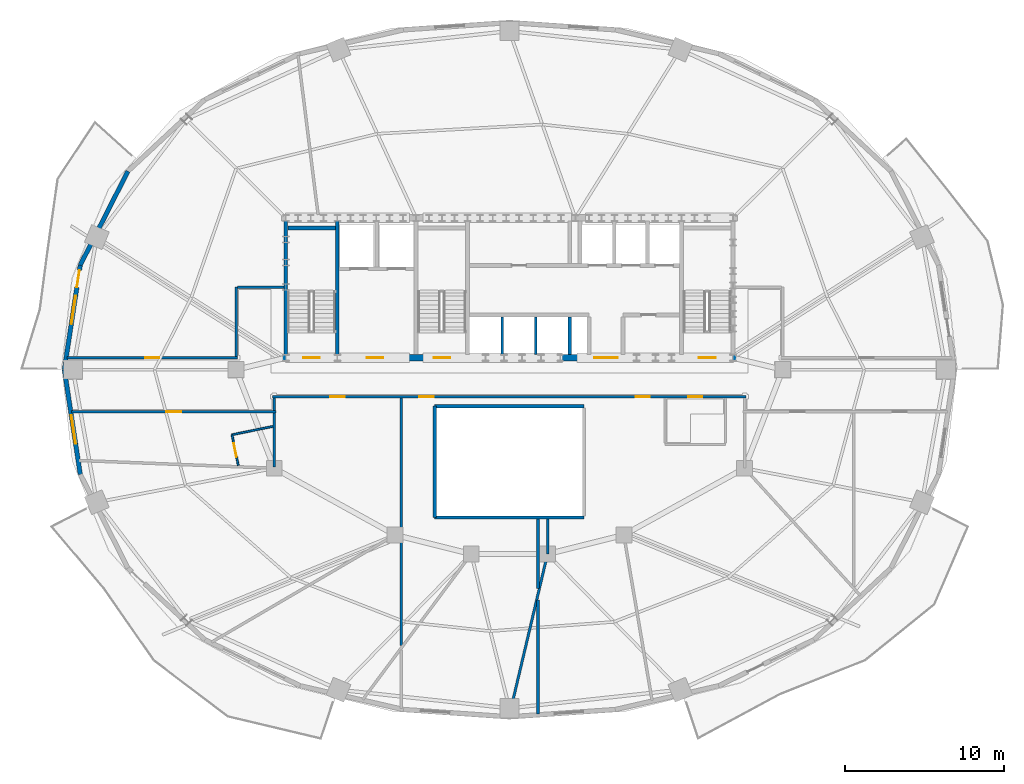
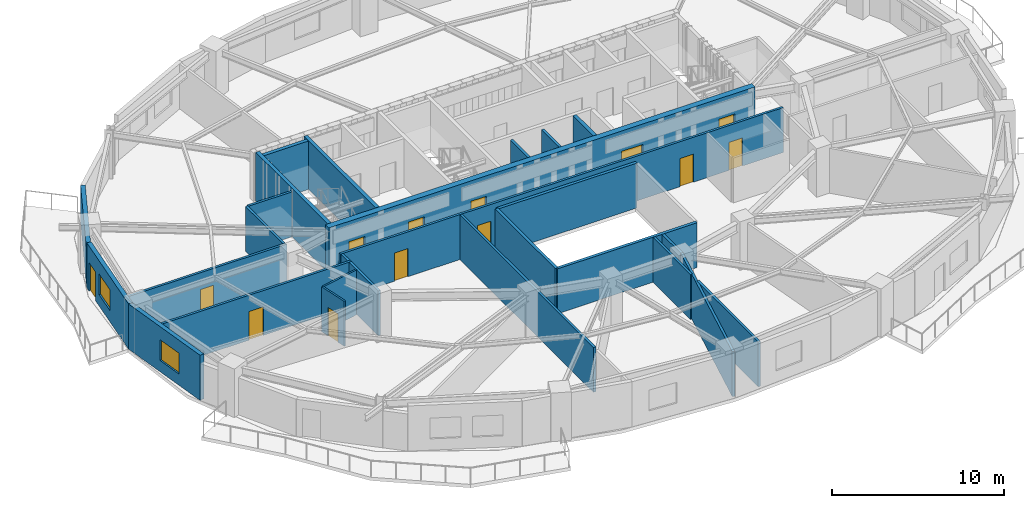
# One storey, part 4 of 11: 27 walls, 13 doors, 2 windows, 15 openings.
"""IFC4 building model written with IfcOpenShell, lengths in metres."""

from ifc_helpers import new_model, si_unit, direction, frame, frame_2d, origin, place, context, subcontext, project, spatial, rectangle, extrude, material, layer, layer_set, type_object, element, fill, save


model = new_model("IFC4")

# Units and contexts
model_context = context("Model", 3, precision=1e-05, world=origin(), true_north=direction((0.0, 1.0)))
body_context = subcontext(model_context, "Body", "Model", "MODEL_VIEW")
ifc_project = project(units=[si_unit("LENGTHUNIT", "METRE"), si_unit("AREAUNIT", "SQUARE_METRE"), si_unit("VOLUMEUNIT", "CUBIC_METRE"), si_unit("PLANEANGLEUNIT", "RADIAN"), si_unit("MASSUNIT", "GRAM", prefix="KILO")], contexts=[model_context])

# Site, building, storey
site_placement = place(None, origin())
site = spatial("IfcSite", under=ifc_project, at=site_placement, CompositionType="ELEMENT")
building_placement = place(site_placement, origin())
building = spatial("IfcBuilding", under=site, at=building_placement, Name="Haldorwick Loom Tower", CompositionType="ELEMENT")
storey_placement = place(building_placement, frame((0.0, 0.0, 204.85009765625)))
storey = spatial("IfcBuildingStorey", under=building, at=storey_placement, Name="L55", CompositionType="ELEMENT", Elevation=204.85009765625)

# Wall
ifc_material_1 = material(Name="Pressed Clay Face Brick and Insulated Masonry Backup Assembly", Category="masonry")
ifc_layer_1 = layer(ifc_material_1, 0.280029296875, Name="Pressed Clay Face Brick and Insulated Masonry Backup Assembly", Category="masonry")
ifc_layer_set_1 = layer_set([ifc_layer_1], Name="Pressed Clay Face Brick and Insulated Masonry Backup Assembly")
wall_type_1 = type_object("IfcWallType", Name="ARC-WL-EXT280", PredefinedType="STANDARD", material=ifc_layer_set_1)
wall_1_placement = place(storey_placement, frame((11.994384765625, 38.4853515625, 0.0), z_axis=(0.0, 0.0, 1.0), x_axis=(-0.453032066879, -0.89149422117, 0.0)))
element("IfcWall", 1, at=wall_1_placement, inside=storey, type_object=wall_type_1, Name="L55 Brick Pier and Spandrel Wall 11", PredefinedType="STANDARD", context=body_context, shape_type="SweptSolid", body=[
    extrude(rectangle(XDim=6.618896484375, YDim=0.280029296875, at=frame_2d((3.3095703125, 0.0))), origin(), (0.0, 0.0, 1.0), 2.640869140625),
])

# Wall, openings, door, window
wall_2_placement = place(storey_placement, frame((8.995849609375, 32.584716796875, 0.0), z_axis=(0.0, 0.0, 1.0), x_axis=(-0.150467697578, -0.988614926038, 0.0)))
wall_2 = element("IfcWall", 2, at=wall_2_placement, inside=storey, type_object=wall_type_1, Name="L55 Brick Pier and Spandrel Wall 12", PredefinedType="STANDARD", context=body_context, shape_type="SweptSolid", body=[
    extrude(rectangle(XDim=6.66064453125, YDim=0.280029296875, at=frame_2d((3.330322265625, 0.0))), origin(), (0.0, 0.0, 1.0), 3.2099609375),
])
opening_1_placement = place(wall_2_placement, frame((0.340087890625, 0.0, 0.0)))
opening_1 = element("IfcOpeningElement", 3, at=opening_1_placement, cuts=wall_2, Name="Opening D-BL11", PredefinedType="OPENING", context=body_context, shape_type="SweptSolid", body=[
    extrude(rectangle(XDim=1.080078125, YDim=2.0400390625, at=frame_2d((0.5400390625, 1.02001953125))), frame((0.0, 0.14990234375, 0.0), z_axis=(0.0, -1.0, 0.0), x_axis=(1.0, 0.0, 0.0)), (0.0, 0.0, 1.0), 0.300048828125),
])
opening_2_placement = place(wall_2_placement, frame((1.952392578125, 0.0, 0.800048828125)))
opening_2 = element("IfcOpeningElement", 4, at=opening_2_placement, cuts=wall_2, Name="Opening W-01", PredefinedType="OPENING", context=body_context, shape_type="SweptSolid", body=[
    extrude(rectangle(XDim=1.800048828125, YDim=1.47998046875, at=frame_2d((0.89990234375, 0.739990234375))), frame((0.0, 0.14990234375, 0.0), z_axis=(0.0, -1.0, 0.0), x_axis=(1.0, 0.0, 0.0)), (0.0, 0.0, 1.0), 0.300048828125),
])
ifc_material_2 = material(Name="Thermally Broken Anodized Aluminium Curtain Wall Framing", Category="aluminium")
door_type_1 = type_object("IfcDoorType", Name="ARC-DR-BAL110", OperationType="NOTDEFINED", PredefinedType="DOOR", material=ifc_material_2)
door_1_placement = place(opening_1_placement, origin())
door_1 = element("IfcDoor", 5, at=door_1_placement, inside=storey, type_object=door_type_1, Name="L55 Outdoor Terrace Door SLB-L55-BAL_WNW", OperationType="SINGLE_SWING_RIGHT", OverallHeight=2.0400390625, OverallWidth=1.080078125, PredefinedType="DOOR", context=body_context, shape_type="SweptSolid", body=[
    extrude(rectangle(XDim=1.080078125, YDim=2.0400390625, at=frame_2d((0.5400390625, 1.02001953125))), frame((0.0, 0.02490234375, 0.0), z_axis=(0.0, -1.0, 0.0), x_axis=(1.0, 0.0, 0.0)), (0.0, 0.0, 1.0), 0.050048828125),
])
fill(opening_1, door_1)
ifc_material_3 = material(Name="Triple-Glazed Low-E Argon Insulated Glazing Unit", Category="glass")
window_type = type_object("IfcWindowType", Name="ARC-WIN-W180", PartitioningType="SINGLE_PANEL", PredefinedType="WINDOW", material=ifc_material_3)
window_1_placement = place(opening_2_placement, origin())
window_1 = element("IfcWindow", 6, at=window_1_placement, inside=storey, type_object=window_type, Name="L55 Deep-Set Zone 7A Window 12", OverallHeight=1.47998046875, OverallWidth=1.800048828125, PartitioningType="SINGLE_PANEL", PredefinedType="WINDOW", context=body_context, shape_type="SweptSolid", body=[
    extrude(rectangle(XDim=1.800048828125, YDim=1.47998046875, at=frame_2d((0.89990234375, 0.739990234375))), frame((0.0, 0.030029296875, 0.0), z_axis=(0.0, -1.0, 0.0), x_axis=(1.0, 0.0, 0.0)), (0.0, 0.0, 1.0), 0.06005859375),
])
fill(opening_2, window_1)

# Wall, opening, window
wall_3_placement = place(storey_placement, frame((7.99365234375, 26.0, 0.0), z_axis=(0.0, 0.0, 1.0), x_axis=(0.150467697578, -0.988614926038, 0.0)))
wall_3 = element("IfcWall", 7, at=wall_3_placement, inside=storey, type_object=wall_type_1, Name="L55 Brick Pier and Spandrel Wall 13", PredefinedType="STANDARD", context=body_context, shape_type="SweptSolid", body=[
    extrude(rectangle(XDim=6.66064453125, YDim=0.280029296875, at=frame_2d((3.330322265625, 0.0))), origin(), (0.0, 0.0, 1.0), 3.2099609375),
])
opening_3_placement = place(wall_3_placement, frame((2.907958984375, 0.0, 0.800048828125)))
opening_3 = element("IfcOpeningElement", 8, at=opening_3_placement, cuts=wall_3, Name="Opening W-01", PredefinedType="OPENING", context=body_context, shape_type="SweptSolid", body=[
    extrude(rectangle(XDim=1.800048828125, YDim=1.47998046875, at=frame_2d((0.89990234375, 0.739990234375))), frame((0.0, 0.14990234375, 0.0), z_axis=(0.0, -1.0, 0.0), x_axis=(1.0, 0.0, 0.0)), (0.0, 0.0, 1.0), 0.300048828125),
])
window_2_placement = place(opening_3_placement, origin())
window_2 = element("IfcWindow", 9, at=window_2_placement, inside=storey, type_object=window_type, Name="L55 Deep-Set Zone 7A Window 13", OverallHeight=1.47998046875, OverallWidth=1.800048828125, PartitioningType="SINGLE_PANEL", PredefinedType="WINDOW", context=body_context, shape_type="SweptSolid", body=[
    extrude(rectangle(XDim=1.800048828125, YDim=1.47998046875, at=frame_2d((0.89990234375, 0.739990234375))), frame((0.0, 0.030029296875, 0.0), z_axis=(0.0, -1.0, 0.0), x_axis=(1.0, 0.0, 0.0)), (0.0, 0.0, 1.0), 0.06005859375),
])
fill(opening_3, window_2)

# Wall, openings, doors
ifc_material_4 = material(Name="Fire-Rated Type X Gypsum Stud Assembly EI 60")
ifc_layer_2 = layer(ifc_material_4, 0.159912109375, Name="Fire-Rated Type X Gypsum Stud Assembly EI 60")
ifc_layer_set_2 = layer_set([ifc_layer_2], Name="Fire-Rated Type X Gypsum Stud Assembly EI 60")
wall_type_2 = type_object("IfcWallType", Name="ARC-WL-FIRE160", PredefinedType="PARTITIONING", material=ifc_layer_set_2)
wall_4_placement = place(storey_placement, frame((21.10009765625, 24.300048828125, 0.0), z_axis=(0.0, 0.0, 1.0), x_axis=(1.0, 0.0, 0.0)))
wall_4 = element("IfcWall", 10, at=wall_4_placement, inside=storey, type_object=wall_type_2, Name="L55 Residential Fire Partition L55-CR-SP", PredefinedType="PARTITIONING", context=body_context, shape_type="SweptSolid", body=[
    extrude(rectangle(XDim=29.7998046875, YDim=0.159912109375, at=frame_2d((14.89990234375, 0.0))), origin(), (0.0, 0.0, 1.0), 3.19482421875),
])
opening_4_placement = place(wall_4_placement, frame((22.838134765625, 0.0, 0.0)))
opening_4 = element("IfcOpeningElement", 11, at=opening_4_placement, cuts=wall_4, Name="Opening D-FD60A", PredefinedType="OPENING", context=body_context, shape_type="SweptSolid", body=[
    extrude(rectangle(XDim=0.89990234375, YDim=2.0, at=frame_2d((0.449951171875, 1.0))), frame((0.0, 0.08984375, 0.0), z_axis=(0.0, -1.0, 0.0), x_axis=(1.0, 0.0, 0.0)), (0.0, 0.0, 1.0), 0.179931640625),
])
opening_5_placement = place(wall_4_placement, frame((9.22900390625, 0.0, 0.0)))
opening_5 = element("IfcOpeningElement", 12, at=opening_5_placement, cuts=wall_4, Name="Opening D-FD60A", PredefinedType="OPENING", context=body_context, shape_type="SweptSolid", body=[
    extrude(rectangle(XDim=0.89990234375, YDim=2.0, at=frame_2d((0.449951171875, 1.0))), frame((0.0, 0.08984375, 0.0), z_axis=(0.0, -1.0, 0.0), x_axis=(1.0, 0.0, 0.0)), (0.0, 0.0, 1.0), 0.179931640625),
])
opening_6_placement = place(wall_4_placement, frame((3.6337890625, 0.0, 0.0)))
opening_6 = element("IfcOpeningElement", 13, at=opening_6_placement, cuts=wall_4, Name="Opening D-FD60A", PredefinedType="OPENING", context=body_context, shape_type="SweptSolid", body=[
    extrude(rectangle(XDim=0.89990234375, YDim=2.0, at=frame_2d((0.449951171875, 1.0))), frame((0.0, 0.08984375, 0.0), z_axis=(0.0, -1.0, 0.0), x_axis=(1.0, 0.0, 0.0)), (0.0, 0.0, 1.0), 0.179931640625),
])
opening_7_placement = place(wall_4_placement, frame((26.1494140625, 0.0, 0.0)))
opening_7 = element("IfcOpeningElement", 14, at=opening_7_placement, cuts=wall_4, Name="Opening D-FD60A", PredefinedType="OPENING", context=body_context, shape_type="SweptSolid", body=[
    extrude(rectangle(XDim=0.89990234375, YDim=2.0, at=frame_2d((0.449951171875, 1.0))), frame((0.0, 0.08984375, 0.0), z_axis=(0.0, -1.0, 0.0), x_axis=(1.0, 0.0, 0.0)), (0.0, 0.0, 1.0), 0.179931640625),
])
ifc_material_5 = material(Name="Hollow Steel Fire Door Assembly", Category="steel")
door_type_2 = type_object("IfcDoorType", Name="ARC-DR-FD60-90", OperationType="NOTDEFINED", PredefinedType="DOOR", material=ifc_material_5)
door_2_placement = place(opening_4_placement, origin())
door_2 = element("IfcDoor", 15, at=door_2_placement, inside=storey, type_object=door_type_2, Name="L55 L55 Central Residential Corridor to Co-Working Open Office 2 Door", OperationType="SINGLE_SWING_LEFT", OverallHeight=2.0, OverallWidth=0.89990234375, PredefinedType="DOOR", context=body_context, shape_type="SweptSolid", body=[
    extrude(rectangle(XDim=0.89990234375, YDim=2.0, at=frame_2d((0.449951171875, 1.0))), frame((0.0, 0.02490234375, 0.0), z_axis=(0.0, -1.0, 0.0), x_axis=(1.0, 0.0, 0.0)), (0.0, 0.0, 1.0), 0.050048828125),
])
fill(opening_4, door_2)
door_3_placement = place(opening_5_placement, origin())
door_3 = element("IfcDoor", 16, at=door_3_placement, inside=storey, type_object=door_type_2, Name="L55 L55 Central Residential Corridor to Co-Working Open Office 1 Door", OperationType="SINGLE_SWING_LEFT", OverallHeight=2.0, OverallWidth=0.89990234375, PredefinedType="DOOR", context=body_context, shape_type="SweptSolid", body=[
    extrude(rectangle(XDim=0.89990234375, YDim=2.0, at=frame_2d((0.449951171875, 1.0))), frame((0.0, 0.02490234375, 0.0), z_axis=(0.0, -1.0, 0.0), x_axis=(1.0, 0.0, 0.0)), (0.0, 0.0, 1.0), 0.050048828125),
])
fill(opening_5, door_3)
door_4_placement = place(opening_6_placement, origin())
door_4 = element("IfcDoor", 17, at=door_4_placement, inside=storey, type_object=door_type_2, Name="L55 L55 Central Residential Corridor to Co-Working Open Office 3 Door", OperationType="SINGLE_SWING_RIGHT", OverallHeight=2.0, OverallWidth=0.89990234375, PredefinedType="DOOR", context=body_context, shape_type="SweptSolid", body=[
    extrude(rectangle(XDim=0.89990234375, YDim=2.0, at=frame_2d((0.449951171875, 1.0))), frame((0.0, 0.02490234375, 0.0), z_axis=(0.0, -1.0, 0.0), x_axis=(1.0, 0.0, 0.0)), (0.0, 0.0, 1.0), 0.050048828125),
])
fill(opening_6, door_4)
door_5_placement = place(opening_7_placement, origin())
door_5 = element("IfcDoor", 18, at=door_5_placement, inside=storey, type_object=door_type_2, Name="L55 L55 Central Residential Corridor to Common Accessible WC Door", OperationType="SINGLE_SWING_LEFT", OverallHeight=2.0, OverallWidth=0.89990234375, PredefinedType="DOOR", context=body_context, shape_type="SweptSolid", body=[
    extrude(rectangle(XDim=0.89990234375, YDim=2.0, at=frame_2d((0.449951171875, 1.0))), frame((0.0, 0.02490234375, 0.0), z_axis=(0.0, -1.0, 0.0), x_axis=(1.0, 0.0, 0.0)), (0.0, 0.0, 1.0), 0.050048828125),
])
fill(opening_7, door_5)

# Wall, opening, door
wall_5_placement = place(storey_placement, frame((8.4423828125, 23.35009765625, 0.0), z_axis=(0.0, 0.0, 1.0), x_axis=(1.0, 0.0, 0.0)))
wall_5 = element("IfcWall", 19, at=wall_5_placement, inside=storey, type_object=wall_type_2, Name="L55 Residential Fire Partition L55-CR-SPW", PredefinedType="PARTITIONING", context=body_context, shape_type="SweptSolid", body=[
    extrude(rectangle(XDim=12.857666015625, YDim=0.159912109375, at=frame_2d((6.4287109375, 0.0))), origin(), (0.0, 0.0, 1.0), 3.19482421875),
])
opening_8_placement = place(wall_5_placement, frame((5.95361328125, 0.0, 0.0)))
opening_8 = element("IfcOpeningElement", 20, at=opening_8_placement, cuts=wall_5, Name="Opening D-FL95", PredefinedType="OPENING", context=body_context, shape_type="SweptSolid", body=[
    extrude(rectangle(XDim=0.949951171875, YDim=2.0400390625, at=frame_2d((0.47509765625, 1.02001953125))), frame((0.0, 0.08984375, 0.0), z_axis=(0.0, -1.0, 0.0), x_axis=(1.0, 0.0, 0.0)), (0.0, 0.0, 1.0), 0.179931640625),
])
ifc_material_6 = material(Name="Solid Core Birch Architectural Door")
door_type_3 = type_object("IfcDoorType", Name="ARC-DR-FLAT95", OperationType="NOTDEFINED", PredefinedType="DOOR", material=ifc_material_6)
door_6_placement = place(opening_8_placement, origin())
door_6 = element("IfcDoor", 21, at=door_6_placement, inside=storey, type_object=door_type_3, Name="L55 L55 Central Residential Corridor to Unit 55B Kitchen and Studio Livi", OperationType="SINGLE_SWING_RIGHT", OverallHeight=2.0400390625, OverallWidth=0.949951171875, PredefinedType="DOOR", context=body_context, shape_type="SweptSolid", body=[
    extrude(rectangle(XDim=0.949951171875, YDim=2.0400390625, at=frame_2d((0.47509765625, 1.02001953125))), frame((0.0, 0.02490234375, 0.0), z_axis=(0.0, -1.0, 0.0), x_axis=(1.0, 0.0, 0.0)), (0.0, 0.0, 1.0), 0.050048828125),
])
fill(opening_8, door_6)

# Wall
wall_6_placement = place(storey_placement, frame((21.199951171875, 23.43310546875, 0.0), z_axis=(0.0, 0.0, 1.0), x_axis=(0.0, 1.0, 0.0)))
element("IfcWall", 22, at=wall_6_placement, inside=storey, type_object=wall_type_2, Name="L55 Residential Fire Partition L55-CR-STW", PredefinedType="PARTITIONING", context=body_context, shape_type="SweptSolid", body=[
    extrude(rectangle(XDim=0.783935546875, YDim=0.159912109375, at=frame_2d((0.39208984375, 0.0))), origin(), (0.0, 0.0, 1.0), 3.19482421875),
])

# Wall, opening, door
wall_7_placement = place(storey_placement, frame((8.1533203125, 26.75, 0.0), z_axis=(0.0, 0.0, 1.0), x_axis=(1.0, 0.0, 0.0)))
wall_7 = element("IfcWall", 23, at=wall_7_placement, inside=storey, type_object=wall_type_2, Name="L55 Residential Fire Partition L55-CR-NWL", PredefinedType="PARTITIONING", context=body_context, shape_type="SweptSolid", body=[
    extrude(rectangle(XDim=10.74658203125, YDim=0.159912109375, at=frame_2d((5.373291015625, 0.0))), origin(), (0.0, 0.0, 1.0), 3.19482421875),
])
opening_9_placement = place(wall_7_placement, frame((4.92333984375, 0.0, 0.0)))
opening_9 = element("IfcOpeningElement", 24, at=opening_9_placement, cuts=wall_7, Name="Opening D-FD60A", PredefinedType="OPENING", context=body_context, shape_type="SweptSolid", body=[
    extrude(rectangle(XDim=0.89990234375, YDim=2.0, at=frame_2d((0.449951171875, 1.0))), frame((0.0, 0.08984375, 0.0), z_axis=(0.0, -1.0, 0.0), x_axis=(1.0, 0.0, 0.0)), (0.0, 0.0, 1.0), 0.179931640625),
])
door_7_placement = place(opening_9_placement, frame((0.89990234375, 0.0, 0.0), z_axis=(0.0, 0.0, 1.0), x_axis=(-1.0, 0.0, 0.0)))
door_7 = element("IfcDoor", 25, at=door_7_placement, inside=storey, type_object=door_type_2, Name="L55 Co-Working Open Office 7 to L55 Central Residential Corridor Door", OperationType="SINGLE_SWING_LEFT", OverallHeight=2.0, OverallWidth=0.89990234375, PredefinedType="DOOR", context=body_context, shape_type="SweptSolid", body=[
    extrude(rectangle(XDim=0.89990234375, YDim=2.0, at=frame_2d((0.449951171875, 1.0))), frame((0.0, 0.02490234375, 0.0), z_axis=(0.0, -1.0, 0.0), x_axis=(1.0, 0.0, 0.0)), (0.0, 0.0, 1.0), 0.050048828125),
])
fill(opening_9, door_7)

# Walls
wall_8_placement = place(storey_placement, frame((18.800048828125, 26.8330078125, 0.0), z_axis=(0.0, 0.0, 1.0), x_axis=(0.0, 1.0, 0.0)))
element("IfcWall", 26, at=wall_8_placement, inside=storey, type_object=wall_type_2, Name="L55 Residential Fire Partition L55-CR-W0", PredefinedType="PARTITIONING", context=body_context, shape_type="SweptSolid", body=[
    extrude(rectangle(XDim=4.366943359375, YDim=0.159912109375, at=frame_2d((2.18359375, 0.0))), origin(), (0.0, 0.0, 1.0), 3.19482421875),
])
wall_9_placement = place(storey_placement, frame((18.883056640625, 31.199951171875, 0.0), z_axis=(0.0, 0.0, 1.0), x_axis=(1.0, 0.0, 0.0)))
element("IfcWall", 27, at=wall_9_placement, inside=storey, type_object=wall_type_2, Name="L55 Residential Fire Partition L55-CR-WNJ", PredefinedType="PARTITIONING", context=body_context, shape_type="SweptSolid", body=[
    extrude(rectangle(XDim=2.923828125, YDim=0.159912109375, at=frame_2d((1.4619140625, 0.0))), origin(), (0.0, 0.0, 1.0), 3.19482421875),
])
wall_10_placement = place(storey_placement, frame((38.39990234375, 14.39990234375, 0.0), z_axis=(0.0, 0.0, 1.0), x_axis=(-0.230222003239, -0.973138134709, 0.0)))
element("IfcWall", 28, at=wall_10_placement, inside=storey, type_object=wall_type_2, Name="L55 Residential Fire Partition L55-ICR-06", PredefinedType="PARTITIONING", context=body_context, shape_type="SweptSolid", body=[
    extrude(rectangle(XDim=10.48046875, YDim=0.159912109375, at=frame_2d((5.240234375, 0.0))), origin(), (0.0, 0.0, 1.0), 3.19482421875),
])
wall_11_placement = place(storey_placement, frame((29.199951171875, 8.633544921875, 0.0), z_axis=(0.0, 0.0, 1.0), x_axis=(0.0, 1.0, 0.0)))
element("IfcWall", 29, at=wall_11_placement, inside=storey, type_object=wall_type_2, Name="L55 Residential Fire Partition L55-SBP-0", PredefinedType="PARTITIONING", context=body_context, shape_type="SweptSolid", body=[
    extrude(rectangle(XDim=15.58349609375, YDim=0.159912109375, at=frame_2d((7.791748046875, 0.0))), origin(), (0.0, 0.0, 1.0), 3.19482421875),
])
wall_12_placement = place(storey_placement, frame((37.800048828125, 4.32373046875, 0.0), z_axis=(0.0, 0.0, 1.0), x_axis=(0.0, 1.0, 0.0)))
element("IfcWall", 30, at=wall_12_placement, inside=storey, type_object=wall_type_2, Name="L55 Residential Fire Partition L55-SBP-1", PredefinedType="PARTITIONING", context=body_context, shape_type="SweptSolid", body=[
    extrude(rectangle(XDim=7.1796875, YDim=0.159912109375, at=frame_2d((3.58984375, 0.0))), origin(), (0.0, 0.0, 1.0), 3.19482421875),
])
wall_13_placement = place(storey_placement, frame((37.800048828125, 12.224365234375, 0.0), z_axis=(0.0, 0.0, 1.0), x_axis=(0.0, 1.0, 0.0)))
element("IfcWall", 31, at=wall_13_placement, inside=storey, type_object=wall_type_2, Name="L55 Residential Fire Partition L55-SBP-1", PredefinedType="PARTITIONING", context=body_context, shape_type="SweptSolid", body=[
    extrude(rectangle(XDim=4.37255859375, YDim=0.159912109375, at=frame_2d((2.186279296875, 0.0))), origin(), (0.0, 0.0, 1.0), 3.19482421875),
])
wall_14_placement = place(storey_placement, frame((38.39990234375, 16.596923828125, 0.0), z_axis=(0.0, 0.0, 1.0), x_axis=(0.0, -1.0, 0.0)))
element("IfcWall", 32, at=wall_14_placement, inside=storey, type_object=wall_type_2, Name="L55 Residential Fire Partition L55-ICA-05", PredefinedType="PARTITIONING", context=body_context, shape_type="SweptSolid", body=[
    extrude(rectangle(XDim=2.197021484375, YDim=0.159912109375, at=frame_2d((1.0986328125, 0.0))), origin(), (0.0, 0.0, 1.0), 3.19482421875),
])
wall_15_placement = place(storey_placement, frame((21.199951171875, 23.26708984375, 0.0), z_axis=(0.0, 0.0, 1.0), x_axis=(0.0, -1.0, 0.0)))
element("IfcWall", 33, at=wall_15_placement, inside=storey, type_object=wall_type_2, Name="L55 Residential Fire Partition L55-ICA-11", PredefinedType="PARTITIONING", context=body_context, shape_type="SweptSolid", body=[
    extrude(rectangle(XDim=3.384033203125, YDim=0.159912109375, at=frame_2d((1.69189453125, 0.0))), origin(), (0.0, 0.0, 1.0), 3.19482421875),
])
ifc_material_7 = material(Name="Fire-Rated Type X Gypsum Stud Assembly EI 120")
ifc_layer_3 = layer(ifc_material_7, 0.199951171875, Name="Fire-Rated Type X Gypsum Stud Assembly EI 120")
ifc_layer_set_3 = layer_set([ifc_layer_3], Name="Fire-Rated Type X Gypsum Stud Assembly EI 120")
wall_type_3 = type_object("IfcWallType", Name="ARC-WL-FIRE200", PredefinedType="PARTITIONING", material=ifc_layer_set_3)
for number, where, z_axis, x_axis, name in (
    (34, (31.300048828125, 23.699951171875, 0.0), (0.0, 0.0, 1.0), (1.0, 0.0, 0.0), "L55 Atrium Fire Enclosure Wall N"),
    (35, (40.699951171875, 16.699951171875, 0.0), (0.0, 0.0, 1.0), (-1.0, 0.0, 0.0), "L55 Atrium Fire Enclosure Wall S"),
):
    element("IfcWall", number, at=place(storey_placement, frame(where, z_axis=z_axis, x_axis=x_axis)), inside=storey, type_object=wall_type_3, Name=name, PredefinedType="PARTITIONING", context=body_context, shape_type="SweptSolid", body=[
        extrude(rectangle(XDim=9.39990234375, YDim=0.199951171875, at=frame_2d((4.699951171875, 0.0))), origin(), (0.0, 0.0, 1.0), 3.19482421875),
    ])
wall_16_placement = place(storey_placement, frame((31.300048828125, 16.699951171875, 0.0), z_axis=(0.0, 0.0, 1.0), x_axis=(0.0, 1.0, 0.0)))
element("IfcWall", 36, at=wall_16_placement, inside=storey, type_object=wall_type_3, Name="L55 Atrium Fire Enclosure Wall W", PredefinedType="PARTITIONING", context=body_context, shape_type="SweptSolid", body=[
    extrude(rectangle(XDim=7.0, YDim=0.199951171875, at=frame_2d((3.5, 0.0))), origin(), (0.0, 0.0, 1.0), 3.19482421875),
])

# Wall, opening, door
ifc_material_8 = material(Name="Acoustic Gypsum Stud Assembly STC 55")
ifc_layer_4 = layer(ifc_material_8, 0.1201171875, Name="Acoustic Gypsum Stud Assembly STC 55")
ifc_layer_set_4 = layer_set([ifc_layer_4], Name="Acoustic Gypsum Stud Assembly STC 55")
wall_type_4 = type_object("IfcWallType", Name="ARC-WL-PART120", PredefinedType="PARTITIONING", material=ifc_layer_set_4)
wall_17_placement = place(storey_placement, frame((18.544677734375, 21.9052734375, 0.0), z_axis=(0.0, 0.0, 1.0), x_axis=(0.201205987491, -0.97954895263, 0.0)))
wall_17 = element("IfcWall", 37, at=wall_17_placement, inside=storey, type_object=wall_type_4, Name="L55 Unit 55B Interior Partition", PredefinedType="PARTITIONING", context=body_context, shape_type="SweptSolid", body=[
    extrude(rectangle(XDim=1.972900390625, YDim=0.1201171875, at=frame_2d((0.986328125, 0.0))), origin(), (0.0, 0.0, 1.0), 3.19482421875),
])
opening_10_placement = place(wall_17_placement, frame((0.54638671875, 0.0, 0.0)))
opening_10 = element("IfcOpeningElement", 38, at=opening_10_placement, cuts=wall_17, Name="Opening D-BT88", PredefinedType="OPENING", context=body_context, shape_type="SweptSolid", body=[
    extrude(rectangle(XDim=0.8798828125, YDim=2.02001953125, at=frame_2d((0.43994140625, 1.010009765625))), frame((0.0, 0.070068359375, 0.0), z_axis=(0.0, -1.0, 0.0), x_axis=(1.0, 0.0, 0.0)), (0.0, 0.0, 1.0), 0.14013671875),
])
door_type_4 = type_object("IfcDoorType", Name="ARC-DR-BATH88", OperationType="NOTDEFINED", PredefinedType="DOOR", material=ifc_material_6)
door_8_placement = place(opening_10_placement, origin())
door_8 = element("IfcDoor", 39, at=door_8_placement, inside=storey, type_object=door_type_4, Name="L55 Unit 55B Bathroom to Unit 55B Kitchen and Studio Living Room Door", OperationType="SINGLE_SWING_RIGHT", OverallHeight=2.02001953125, OverallWidth=0.8798828125, PredefinedType="DOOR", context=body_context, shape_type="SweptSolid", body=[
    extrude(rectangle(XDim=0.8798828125, YDim=2.02001953125, at=frame_2d((0.43994140625, 1.010009765625))), frame((0.0, 0.02490234375, 0.0), z_axis=(0.0, -1.0, 0.0), x_axis=(1.0, 0.0, 0.0)), (0.0, 0.0, 1.0), 0.050048828125),
])
fill(opening_10, door_8)

# Walls
wall_18_placement = place(storey_placement, frame((21.116943359375, 22.43359375, 0.0), z_axis=(0.0, 0.0, 1.0), x_axis=(-0.979551989532, -0.201191202102, 0.0)))
element("IfcWall", 40, at=wall_18_placement, inside=storey, type_object=wall_type_4, Name="L55 Unit 55B Interior Partition", PredefinedType="PARTITIONING", context=body_context, shape_type="SweptSolid", body=[
    extrude(rectangle(XDim=2.6259765625, YDim=0.1201171875, at=frame_2d((1.31298828125, 0.0))), origin(), (0.0, 0.0, 1.0), 3.19482421875),
])
ifc_layer_5 = layer(ifc_material_7, 0.1650390625, Name="Fire-Rated Type X Gypsum Stud Assembly EI 120")
ifc_layer_set_5 = layer_set([ifc_layer_5], Name="Fire-Rated Type X Gypsum Stud Assembly EI 120")
wall_type_5 = type_object("IfcWallType", Name="ARC-WL-SHAFT160", PredefinedType="MOVABLE", material=ifc_layer_set_5)
for number, where, z_axis, x_axis, name in (
    (41, (35.550048828125, 26.952880859375, 0.0), (0.0, 0.0, 1.0), (0.0, 1.0, 0.0), "L55 Mid-Rise Hoistway Divider 1"),
    (42, (37.64990234375, 26.952880859375, 0.0), (0.0, 0.0, 1.0), (0.0, 1.0, 0.0), "L55 Mid-Rise Hoistway Divider 2"),
):
    element("IfcWall", number, at=place(storey_placement, frame(where, z_axis=z_axis, x_axis=x_axis)), inside=storey, type_object=wall_type_5, Name=name, PredefinedType="MOVABLE", context=body_context, shape_type="SweptSolid", body=[
        extrude(rectangle(XDim=2.3740234375, YDim=0.159912109375, at=frame_2d((1.18701171875, 0.0))), origin(), (0.0, 0.0, 1.0), 3.19482421875),
    ])

# Wall, openings, doors
ifc_material_9 = material(Name="Concrete C50 (50 MPa)", Category="concrete")
ifc_layer_6 = layer(ifc_material_9, 0.39990234375, Name="Concrete C50 (50 MPa)", Category="concrete")
ifc_layer_set_6 = layer_set([ifc_layer_6], Name="Concrete C50 (50 MPa)")
wall_type_6 = type_object("IfcWallType", Name="STR-WL-CORE400", PredefinedType="SHEAR", material=ifc_layer_set_6)
wall_19_placement = place(storey_placement, frame((21.64990234375, 26.75, 0.0), z_axis=(0.0, 0.0, 1.0), x_axis=(1.0, 0.0, 0.0)))
wall_19 = element("IfcWall", 43, at=wall_19_placement, inside=storey, type_object=wall_type_6, Name="L55 Core Shear Wall S", PredefinedType="SHEAR", context=body_context, shape_type="SweptSolid", body=[
    extrude(rectangle(XDim=28.7001953125, YDim=0.39990234375, at=frame_2d((14.35009765625, 0.0))), origin(), (0.0, 0.0, 1.0), 3.449951171875),
])
opening_11_placement = place(wall_19_placement, frame((1.375, 0.0, 0.0)))
opening_11 = element("IfcOpeningElement", 44, at=opening_11_placement, cuts=wall_19, Name="Opening D-FD60", PredefinedType="OPENING", context=body_context, shape_type="SweptSolid", body=[
    extrude(rectangle(XDim=1.050048828125, YDim=2.0, at=frame_2d((0.52490234375, 1.0))), frame((0.0, 0.2099609375, 0.0), z_axis=(0.0, -1.0, 0.0), x_axis=(1.0, 0.0, 0.0)), (0.0, 0.0, 1.0), 0.419921875),
])
opening_12_placement = place(wall_19_placement, frame((5.375, 0.0, 0.0)))
opening_12 = element("IfcOpeningElement", 45, at=opening_12_placement, cuts=wall_19, Name="Opening D-FD60", PredefinedType="OPENING", context=body_context, shape_type="SweptSolid", body=[
    extrude(rectangle(XDim=1.050048828125, YDim=2.0, at=frame_2d((0.52490234375, 1.0))), frame((0.0, 0.2099609375, 0.0), z_axis=(0.0, -1.0, 0.0), x_axis=(1.0, 0.0, 0.0)), (0.0, 0.0, 1.0), 0.419921875),
])
opening_13_placement = place(wall_19_placement, frame((9.574951171875, 0.0, 0.0)))
opening_13 = element("IfcOpeningElement", 46, at=opening_13_placement, cuts=wall_19, Name="Opening D-FD60", PredefinedType="OPENING", context=body_context, shape_type="SweptSolid", body=[
    extrude(rectangle(XDim=1.050048828125, YDim=2.0, at=frame_2d((0.52490234375, 1.0))), frame((0.0, 0.2099609375, 0.0), z_axis=(0.0, -1.0, 0.0), x_axis=(1.0, 0.0, 0.0)), (0.0, 0.0, 1.0), 0.419921875),
])
opening_14_placement = place(wall_19_placement, frame((19.705078125, 0.0, 0.0)))
opening_14 = element("IfcOpeningElement", 47, at=opening_14_placement, cuts=wall_19, Name="Opening D-LB15", PredefinedType="OPENING", context=body_context, shape_type="SweptSolid", body=[
    extrude(rectangle(XDim=1.449951171875, YDim=2.0, at=frame_2d((0.72509765625, 1.0))), frame((0.0, 0.2099609375, 0.0), z_axis=(0.0, -1.0, 0.0), x_axis=(1.0, 0.0, 0.0)), (0.0, 0.0, 1.0), 0.419921875),
])
opening_15_placement = place(wall_19_placement, frame((26.27490234375, 0.0, 0.0)))
opening_15 = element("IfcOpeningElement", 48, at=opening_15_placement, cuts=wall_19, Name="Opening D-FD60", PredefinedType="OPENING", context=body_context, shape_type="SweptSolid", body=[
    extrude(rectangle(XDim=1.050048828125, YDim=2.0, at=frame_2d((0.52490234375, 1.0))), frame((0.0, 0.2099609375, 0.0), z_axis=(0.0, -1.0, 0.0), x_axis=(1.0, 0.0, 0.0)), (0.0, 0.0, 1.0), 0.419921875),
])
door_type_5 = type_object("IfcDoorType", Name="ARC-DR-FD60", OperationType="NOTDEFINED", PredefinedType="DOOR", material=ifc_material_5)
door_9_placement = place(opening_11_placement, origin())
door_9 = element("IfcDoor", 49, at=door_9_placement, inside=storey, type_object=door_type_5, Name="L55 Exit Stair ST-01 Fire Door", OperationType="SINGLE_SWING_LEFT", OverallHeight=2.0, OverallWidth=1.050048828125, PredefinedType="DOOR", context=body_context, shape_type="SweptSolid", body=[
    extrude(rectangle(XDim=1.050048828125, YDim=2.0, at=frame_2d((0.52490234375, 1.0))), frame((0.0, 0.02490234375, 0.0), z_axis=(0.0, -1.0, 0.0), x_axis=(1.0, 0.0, 0.0)), (0.0, 0.0, 1.0), 0.050048828125),
])
fill(opening_11, door_9)
door_10_placement = place(opening_12_placement, origin())
door_10 = element("IfcDoor", 50, at=door_10_placement, inside=storey, type_object=door_type_5, Name="L55 Firefighting Lift Lobby Fire Door", OperationType="SINGLE_SWING_RIGHT", OverallHeight=2.0, OverallWidth=1.050048828125, PredefinedType="DOOR", context=body_context, shape_type="SweptSolid", body=[
    extrude(rectangle(XDim=1.050048828125, YDim=2.0, at=frame_2d((0.52490234375, 1.0))), frame((0.0, 0.02490234375, 0.0), z_axis=(0.0, -1.0, 0.0), x_axis=(1.0, 0.0, 0.0)), (0.0, 0.0, 1.0), 0.050048828125),
])
fill(opening_12, door_10)
door_11_placement = place(opening_13_placement, origin())
door_11 = element("IfcDoor", 51, at=door_11_placement, inside=storey, type_object=door_type_5, Name="L55 Exit Stair ST-03 Fire Door", OperationType="SINGLE_SWING_LEFT", OverallHeight=2.0, OverallWidth=1.050048828125, PredefinedType="DOOR", context=body_context, shape_type="SweptSolid", body=[
    extrude(rectangle(XDim=1.050048828125, YDim=2.0, at=frame_2d((0.52490234375, 1.0))), frame((0.0, 0.02490234375, 0.0), z_axis=(0.0, -1.0, 0.0), x_axis=(1.0, 0.0, 0.0)), (0.0, 0.0, 1.0), 0.050048828125),
])
fill(opening_13, door_11)
door_12_placement = place(opening_15_placement, origin())
door_12 = element("IfcDoor", 52, at=door_12_placement, inside=storey, type_object=door_type_5, Name="L55 Exit Stair ST-02 Fire Door", OperationType="SINGLE_SWING_LEFT", OverallHeight=2.0, OverallWidth=1.050048828125, PredefinedType="DOOR", context=body_context, shape_type="SweptSolid", body=[
    extrude(rectangle(XDim=1.050048828125, YDim=2.0, at=frame_2d((0.52490234375, 1.0))), frame((0.0, 0.02490234375, 0.0), z_axis=(0.0, -1.0, 0.0), x_axis=(1.0, 0.0, 0.0)), (0.0, 0.0, 1.0), 0.050048828125),
])
fill(opening_15, door_12)
ifc_material_10 = material(Name="Thermally Broken Anodized Aluminium and Tempered Glass", Category="aluminium")
door_type_6 = type_object("IfcDoorType", Name="ARC-DR-LOB150", OperationType="NOTDEFINED", PredefinedType="DOOR", material=ifc_material_10)
door_13_placement = place(opening_14_placement, frame((1.449951171875, 0.0, 0.0), z_axis=(0.0, 0.0, 1.0), x_axis=(-1.0, 0.0, 0.0)))
door_13 = element("IfcDoor", 53, at=door_13_placement, inside=storey, type_object=door_type_6, Name="L55 Passenger Lift Lobby Fire Door", OperationType="DOUBLE_DOOR_SINGLE_SWING", OverallHeight=2.0, OverallWidth=1.449951171875, PredefinedType="DOOR", context=body_context, shape_type="SweptSolid", body=[
    extrude(rectangle(XDim=1.449951171875, YDim=2.0, at=frame_2d((0.72509765625, 1.0))), frame((0.0, 0.02490234375, 0.0), z_axis=(0.0, -1.0, 0.0), x_axis=(1.0, 0.0, 0.0)), (0.0, 0.0, 1.0), 0.050048828125),
])
fill(opening_14, door_13)

# Walls
ifc_layer_7 = layer(ifc_material_9, 0.239990234375, Name="Concrete C50 (50 MPa)", Category="concrete")
ifc_layer_set_7 = layer_set([ifc_layer_7], Name="Concrete C50 (50 MPa)")
wall_type_7 = type_object("IfcWallType", Name="STR-WL-SHAFT240", PredefinedType="SHEAR", material=ifc_layer_set_7)
for number, where, z_axis, x_axis, name in (
    (54, (21.929931640625, 35.346923828125, 0.0), (0.0, 0.0, 1.0), (0.0, -1.0, 0.0), "L55 Core Shear Wall W"),
    (55, (25.169921875, 26.952880859375, 0.0), (0.0, 0.0, 1.0), (0.0, 1.0, 0.0), "L55 Core Shear Wall 1"),
):
    element("IfcWall", number, at=place(storey_placement, frame(where, z_axis=z_axis, x_axis=x_axis)), inside=storey, type_object=wall_type_7, Name=name, PredefinedType="SHEAR", context=body_context, shape_type="SweptSolid", body=[
        extrude(rectangle(XDim=8.39404296875, YDim=0.239990234375, at=frame_2d((4.197021484375, 0.0))), origin(), (0.0, 0.0, 1.0), 3.449951171875),
    ])
wall_20_placement = place(storey_placement, frame((22.052978515625, 34.919921875, 0.0), z_axis=(0.0, 0.0, 1.0), x_axis=(1.0, 0.0, 0.0)))
element("IfcWall", 56, at=wall_20_placement, inside=storey, type_object=wall_type_7, Name="L55 Core Shear Wall 1N", PredefinedType="SHEAR", context=body_context, shape_type="SweptSolid", body=[
    extrude(rectangle(XDim=2.994140625, YDim=0.239990234375, at=frame_2d((1.4970703125, 0.0))), origin(), (0.0, 0.0, 1.0), 3.449951171875),
])
wall_21_placement = place(storey_placement, frame((39.800048828125, 26.952880859375, 0.0), z_axis=(0.0, 0.0, 1.0), x_axis=(0.0, 1.0, 0.0)))
element("IfcWall", 57, at=wall_21_placement, inside=storey, type_object=wall_type_7, Name="L55 Core Shear Wall MRW", PredefinedType="SHEAR", context=body_context, shape_type="SweptSolid", body=[
    extrude(rectangle(XDim=2.3740234375, YDim=0.239990234375, at=frame_2d((1.18701171875, 0.0))), origin(), (0.0, 0.0, 1.0), 3.449951171875),
])

save(model, "model.ifc")
